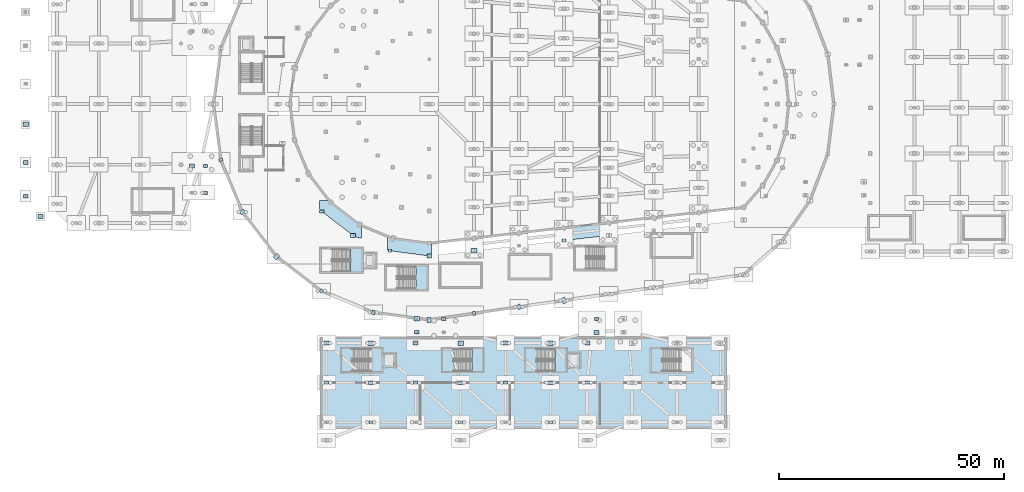
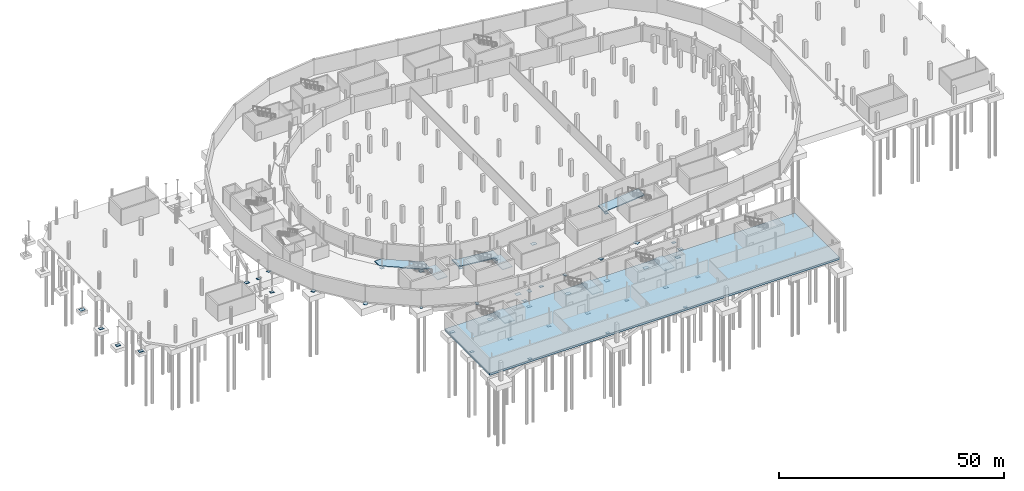
# One storey, part 34 of 55: 44 plates, 9 slabs, 5 elements without a shape of their own.
"""IFC4 building model written with IfcOpenShell, lengths in metres."""

from ifc_helpers import new_model, si_unit, direction, frame, origin, origin_2d, place, context, subcontext, project, spatial, polyline, rectangle, outline, extrude, material, layer, layer_set, type_object, element, aggregate, save


model = new_model("IFC4")

# Units and contexts
model_context = context("Model", 3, precision=1e-05, world=origin(), true_north=direction((0.0, 1.0)))
body_context = subcontext(model_context, "Body", "Model", "MODEL_VIEW")
ifc_project = project(units=[si_unit("LENGTHUNIT", "METRE"), si_unit("AREAUNIT", "SQUARE_METRE"), si_unit("VOLUMEUNIT", "CUBIC_METRE"), si_unit("PLANEANGLEUNIT", "RADIAN"), si_unit("MASSUNIT", "GRAM", prefix="KILO")], contexts=[model_context])

# Site, building, storey
site_placement = place(None, origin())
site = spatial("IfcSite", under=ifc_project, at=site_placement, CompositionType="ELEMENT")
building_placement = place(site_placement, origin())
building = spatial("IfcBuilding", under=site, at=building_placement, Name="Sohan Crest Arena", CompositionType="ELEMENT")
storey_placement = place(building_placement, frame((0.0, 0.0, -4.5)))
storey = spatial("IfcBuildingStorey", under=building, at=storey_placement, Name="B1", CompositionType="ELEMENT", Elevation=-4.5)

# Slabs
ifc_material_1 = material(Name="Concrete C40/50", Category="concrete")
ifc_layer_1 = layer(ifc_material_1, 0.550048828125, Name="Concrete C40/50")
ifc_layer_set_1 = layer_set([ifc_layer_1], Name="Concrete C40/50")
slab_type_1 = type_object("IfcSlabType", Name="SL-BASE2", PredefinedType="BASESLAB", material=ifc_layer_set_1)
slab_1_placement = place(storey_placement, frame((0.0, 0.0, -0.550048828125)))
element("IfcSlab", 1, at=slab_1_placement, inside=storey, type_object=slab_type_1, Name="BOH wing B1 foundation base slab SL-B1-V5", PredefinedType="BASESLAB", context=body_context, shape_type="SweptSolid", body=[
    extrude(outline(polyline([(74.0, 6.0), (164.0, 6.0), (164.0, 26.0), (74.0, 26.0), (74.0, 6.0)])), origin(), (0.0, 0.0, 1.0), 0.550048828125),
])
ifc_layer_2 = layer(ifc_material_1, 0.25, Name="Concrete C40/50")
ifc_layer_set_2 = layer_set([ifc_layer_2], Name="Concrete C40/50")
slab_type_2 = type_object("IfcSlabType", Name="SL-FLR3", PredefinedType="FLOOR", material=ifc_layer_set_2)
slab_2_placement = place(storey_placement, frame((0.0, 0.0, -0.25)))
element("IfcSlab", 2, at=slab_2_placement, inside=storey, type_object=slab_type_2, Name="Seismic joint threshold slab B1 SL-TH-B1-09", PredefinedType="FLOOR", context=body_context, shape_type="SweptSolid", body=[
    extrude(outline(polyline([(81.10009765625, 48.72802734375), (74.10009765625, 54.10009765625), (73.60009765625, 54.751953125), (73.60009765625, 56.580078125), (75.696044921875, 56.580078125), (76.080078125, 56.080078125), (82.5, 51.153076171875), (83.0, 50.946044921875), (83.0, 48.22802734375), (82.306884765625, 48.22802734375), (81.10009765625, 48.72802734375)])), origin(), (0.0, 0.0, 1.0), 0.25),
])
slab_3_placement = place(storey_placement, frame((0.0, 0.0, -0.25)))
element("IfcSlab", 3, at=slab_3_placement, inside=storey, type_object=slab_type_2, Name="Seismic joint threshold slab B1 SL-TH-B1-11", PredefinedType="FLOOR", context=body_context, shape_type="SweptSolid", body=[
    extrude(outline(polyline([(98.0, 44.199951171875), (89.251953125, 45.35205078125), (88.751953125, 45.55908203125), (88.751953125, 48.555908203125), (88.77001953125, 48.555908203125), (89.97705078125, 48.055908203125), (98.0, 47.0), (98.5, 47.056884765625), (98.5, 44.257080078125), (98.0, 44.199951171875)])), origin(), (0.0, 0.0, 1.0), 0.25),
])
slab_4_placement = place(storey_placement, frame((0.0, 0.0, -0.25)))
element("IfcSlab", 4, at=slab_4_placement, inside=storey, type_object=slab_type_2, Name="Seismic joint threshold slab B1 SL-TH-B1-15", PredefinedType="FLOOR", context=body_context, shape_type="SweptSolid", body=[
    extrude(outline(polyline([(138.5, 48.827880859375), (127.5, 47.572021484375), (127.5, 50.3720703125), (138.5, 51.6279296875), (138.5, 48.827880859375)])), origin(), (0.0, 0.0, 1.0), 0.25),
])

# Stair, slab
stair_type_1 = type_object("IfcStairType", Name="ST-450", PredefinedType="TWO_STRAIGHT_RUN_STAIR", material=ifc_material_1)
stair_1_placement = place(storey_placement, origin())
stair_1 = element("IfcStair", 5, at=stair_1_placement, inside=storey, type_object=stair_type_1, Name="Protected exit stair ST03-B1", PredefinedType="TWO_STRAIGHT_RUN_STAIR")
ifc_layer_3 = layer(ifc_material_1, 0.199951171875, Name="Concrete C40/50")
ifc_layer_set_3 = layer_set([ifc_layer_3], Name="Concrete C40/50")
slab_type_3 = type_object("IfcSlabType", Name="SL-LND1", PredefinedType="LANDING", material=ifc_layer_set_3)
slab_5_placement = place(storey_placement, frame((0.0, 0.0, 2.050048828125)))
slab_5 = element("IfcSlab", 6, at=slab_5_placement, type_object=slab_type_3, Name="ST03-B1 landing 1", PredefinedType="LANDING", context=body_context, shape_type="SweptSolid", body=[
    extrude(outline(polyline([(80.530029296875, 40.550048828125), (83.10009765625, 40.550048828125), (83.10009765625, 45.85009765625), (80.530029296875, 45.85009765625), (80.530029296875, 40.550048828125)])), origin(), (0.0, 0.0, 1.0), 0.199951171875),
])
aggregate(stair_1, [slab_5])

stair_type_2 = type_object("IfcStairType", Name="ST-450W", PredefinedType="TWO_STRAIGHT_RUN_STAIR", material=ifc_material_1)
stair_2_placement = place(storey_placement, origin())
stair_2 = element("IfcStair", 7, at=stair_2_placement, inside=storey, type_object=stair_type_2, Name="Protected exit stair ST12-B1", PredefinedType="TWO_STRAIGHT_RUN_STAIR")
slab_6_placement = place(storey_placement, frame((0.0, 0.0, 2.050048828125)))
slab_6 = element("IfcSlab", 8, at=slab_6_placement, type_object=slab_type_3, Name="ST12-B1 landing 1", PredefinedType="LANDING", context=body_context, shape_type="SweptSolid", body=[
    extrude(outline(polyline([(107.530029296875, 18.35009765625), (110.10009765625, 18.35009765625), (110.10009765625, 23.64990234375), (107.530029296875, 23.64990234375), (107.530029296875, 18.35009765625)])), origin(), (0.0, 0.0, 1.0), 0.199951171875),
])
aggregate(stair_2, [slab_6])

stair_3_placement = place(storey_placement, origin())
stair_3 = element("IfcStair", 9, at=stair_3_placement, inside=storey, type_object=stair_type_2, Name="Protected exit stair ST17-B1", PredefinedType="TWO_STRAIGHT_RUN_STAIR")
slab_7_placement = place(storey_placement, frame((0.0, 0.0, 2.050048828125)))
slab_7 = element("IfcSlab", 10, at=slab_7_placement, type_object=slab_type_3, Name="ST17-B1 landing 1", PredefinedType="LANDING", context=body_context, shape_type="SweptSolid", body=[
    extrude(outline(polyline([(85.030029296875, 18.35009765625), (87.60009765625, 18.35009765625), (87.60009765625, 23.64990234375), (85.030029296875, 23.64990234375), (85.030029296875, 18.35009765625)])), origin(), (0.0, 0.0, 1.0), 0.199951171875),
])
aggregate(stair_3, [slab_7])

stair_4_placement = place(storey_placement, origin())
stair_4 = element("IfcStair", 11, at=stair_4_placement, inside=storey, type_object=stair_type_2, Name="Protected exit stair ST18-B1", PredefinedType="TWO_STRAIGHT_RUN_STAIR")
slab_8_placement = place(storey_placement, frame((0.0, 0.0, 2.050048828125)))
slab_8 = element("IfcSlab", 12, at=slab_8_placement, type_object=slab_type_3, Name="ST18-B1 landing 1", PredefinedType="LANDING", context=body_context, shape_type="SweptSolid", body=[
    extrude(outline(polyline([(126.030029296875, 18.35009765625), (128.60009765625, 18.35009765625), (128.60009765625, 23.64990234375), (126.030029296875, 23.64990234375), (126.030029296875, 18.35009765625)])), origin(), (0.0, 0.0, 1.0), 0.199951171875),
])
aggregate(stair_4, [slab_8])

stair_5_placement = place(storey_placement, origin())
stair_5 = element("IfcStair", 13, at=stair_5_placement, inside=storey, type_object=stair_type_2, Name="Protected exit stair ST19-B1", PredefinedType="TWO_STRAIGHT_RUN_STAIR")
slab_9_placement = place(storey_placement, frame((0.0, 0.0, 2.050048828125)))
slab_9 = element("IfcSlab", 14, at=slab_9_placement, type_object=slab_type_3, Name="ST19-B1 landing 1", PredefinedType="LANDING", context=body_context, shape_type="SweptSolid", body=[
    extrude(outline(polyline([(95.030029296875, 36.7099609375), (97.60009765625, 36.7099609375), (97.60009765625, 42.010009765625), (95.030029296875, 42.010009765625), (95.030029296875, 36.7099609375)])), origin(), (0.0, 0.0, 1.0), 0.199951171875),
])
aggregate(stair_5, [slab_9])

# Plates
ifc_material_2 = material(Name="Steel S355", Category="steel")
ifc_layer_4 = layer(ifc_material_2, 0.031982421875, Name="Steel S355")
ifc_layer_set_4 = layer_set([ifc_layer_4], Name="Steel S355")
plate_type_1 = type_object("IfcPlateType", Name="STR-PL-BP01", PredefinedType="USERDEFINED", material=ifc_layer_set_4)
for number, where, z_axis, x_axis, name in (
    (15, (89.251953125, 45.35205078125, -0.5498046875), (0.0, 0.0, 1.0), (1.0, 0.0, 0.0), "Steel column base plate BP-V2I-12"),
    (16, (51.635986328125, 65.576904296875, -0.5498046875), (0.0, 0.0, 1.0), (0.965925826289, 0.258819045103, 0.0), "Steel column base plate BP-V2O-08"),
    (17, (108.0, 31.428955078125, -0.5498046875), (0.0, 0.0, 1.0), (-0.209618562904, 0.977783236759, 0.0), "Steel column base plate BP-V2O-14"),
    (18, (85.0, 7.199951171875, -0.5498046875), (0.0, 0.0, 1.0), (1.0, 0.0, 0.0), "Steel column base plate BP-V5C-02-1"),
    (19, (105.0, 7.199951171875, -0.5498046875), (0.0, 0.0, 1.0), (1.0, 0.0, 0.0), "Steel column base plate BP-V5C-04-1"),
    (20, (125.0, 7.199951171875, -0.5498046875), (0.0, 0.0, 1.0), (1.0, 0.0, 0.0), "Steel column base plate BP-V5C-06-1"),
    (21, (48.199951171875, 64.25, -0.5498046875), (0.0, 0.0, 1.0), (1.0, 0.0, 0.0), "Steel column base plate BP-BC-BR-W1-4"),
    (22, (135.25, 30.199951171875, -0.5498046875), (0.0, 0.0, 1.0), (1.0, 0.0, 0.0), "Steel column base plate BP-BC-BR-S2-2"),
):
    element("IfcPlate", number, at=place(storey_placement, frame(where, z_axis=z_axis, x_axis=x_axis)), inside=storey, type_object=plate_type_1, Name=name, ObjectType="BASE PLATE", PredefinedType="USERDEFINED", context=body_context, shape_type="SweptSolid", body=[
        extrude(rectangle(XDim=0.85009765625, YDim=0.64990234375, at=origin_2d()), origin(), (0.0, 0.0, 1.0), 0.031982421875),
    ])
ifc_layer_5 = layer(ifc_material_2, 0.034912109375, Name="Steel S355")
ifc_layer_set_5 = layer_set([ifc_layer_5], Name="Steel S355")
plate_type_2 = type_object("IfcPlateType", Name="STR-PL-BP02", PredefinedType="USERDEFINED", material=ifc_layer_set_5)
for number, where, z_axis, x_axis, name in (
    (23, (8.199951171875, 65.0, -0.54931640625), (0.0, 0.0, 1.0), (1.0, 0.0, 0.0), "Canopy column base plate BP-P01"),
    (24, (8.199951171875, 57.5, -0.54931640625), (0.0, 0.0, 1.0), (1.0, 0.0, 0.0), "Canopy column base plate BP-P07"),
    (25, (98.0, 44.199951171875, -0.54931640625), (0.0, 0.0, 1.0), (1.0, 0.0, 0.0), "Steel column base plate BP-V2I-13"),
    (26, (56.430908203125, 54.0, -0.54931640625), (0.0, 0.0, 1.0), (0.866025403784, 0.5, 0.0), "Steel column base plate BP-V2O-09"),
    (27, (118.0, 32.85693359375, -0.54931640625), (0.0, 0.0, 1.0), (-0.40514158678, 0.914253955234, 0.0), "Steel column base plate BP-V2O-15"),
    (28, (85.0, 16.0, -0.54931640625), (0.0, 0.0, 1.0), (1.0, 0.0, 0.0), "Steel column base plate BP-V5C-02-2"),
    (29, (105.0, 16.0, -0.54931640625), (0.0, 0.0, 1.0), (1.0, 0.0, 0.0), "Steel column base plate BP-V5C-04-2"),
    (30, (125.0, 16.0, -0.54931640625), (0.0, 0.0, 1.0), (1.0, 0.0, 0.0), "Steel column base plate BP-V5C-06-2"),
    (31, (95.25, 27.199951171875, -0.54931640625), (0.0, 0.0, 1.0), (1.0, 0.0, 0.0), "Steel column base plate BP-BC-BR-S1-1"),
):
    element("IfcPlate", number, at=place(storey_placement, frame(where, z_axis=z_axis, x_axis=x_axis)), inside=storey, type_object=plate_type_2, Name=name, ObjectType="BASE PLATE", PredefinedType="USERDEFINED", context=body_context, shape_type="SweptSolid", body=[
        extrude(rectangle(XDim=1.050048828125, YDim=0.800048828125, at=origin_2d()), origin(), (0.0, 0.0, 1.0), 0.034912109375),
    ])
ifc_layer_6 = layer(ifc_material_2, 0.034912109375, Name="Steel S355")
ifc_layer_set_6 = layer_set([ifc_layer_6], Name="Steel S355")
plate_type_3 = type_object("IfcPlateType", Name="STR-PL-BP03", PredefinedType="USERDEFINED", material=ifc_layer_set_6)
for number, where, z_axis, x_axis, name in (
    (32, (8.199951171875, 73.5, -0.54931640625), (0.0, 0.0, 1.0), (1.0, 0.0, 0.0), "Canopy column base plate BP-P02"),
    (33, (108.0, 45.343017578125, -0.54931640625), (0.0, 0.0, 1.0), (1.0, 0.0, 0.0), "Steel column base plate BP-V2I-14"),
    (34, (64.05908203125, 44.05908203125, -0.54931640625), (0.0, 0.0, 1.0), (0.707106781187, 0.707106781187, 0.0), "Steel column base plate BP-V2O-10"),
    (35, (128.0, 34.285888671875, -0.54931640625), (0.0, 0.0, 1.0), (-0.566406236925, 0.824126188622, 0.0), "Steel column base plate BP-V2O-16"),
    (36, (85.0, 24.800048828125, -0.54931640625), (0.0, 0.0, 1.0), (1.0, 0.0, 0.0), "Steel column base plate BP-V5C-02-3"),
    (37, (105.0, 24.800048828125, -0.54931640625), (0.0, 0.0, 1.0), (1.0, 0.0, 0.0), "Steel column base plate BP-V5C-04-3"),
    (38, (125.0, 24.800048828125, -0.54931640625), (0.0, 0.0, 1.0), (1.0, 0.0, 0.0), "Steel column base plate BP-V5C-06-3"),
    (39, (95.25, 30.199951171875, -0.54931640625), (0.0, 0.0, 1.0), (1.0, 0.0, 0.0), "Steel column base plate BP-BC-BR-S1-2"),
):
    element("IfcPlate", number, at=place(storey_placement, frame(where, z_axis=z_axis, x_axis=x_axis)), inside=storey, type_object=plate_type_3, Name=name, ObjectType="BASE PLATE", PredefinedType="USERDEFINED", context=body_context, shape_type="SweptSolid", body=[
        extrude(rectangle(XDim=1.25, YDim=0.949951171875, at=origin_2d()), origin(), (0.0, 0.0, 1.0), 0.034912109375),
    ])
ifc_layer_7 = layer(ifc_material_2, 0.030029296875, Name="Steel S355")
ifc_layer_set_7 = layer_set([ifc_layer_7], Name="Steel S355")
plate_type_4 = type_object("IfcPlateType", Name="STR-PL-BP04", PredefinedType="USERDEFINED", material=ifc_layer_set_7)
plate_placement = place(storey_placement, frame((74.0, 36.430908203125, -0.5498046875), z_axis=(0.0, 0.0, 1.0), x_axis=(0.5, 0.866025403784, 0.0)))
element("IfcPlate", 40, at=plate_placement, inside=storey, type_object=plate_type_4, Name="Steel column base plate BP-V2O-11", ObjectType="BASE PLATE", PredefinedType="USERDEFINED", context=body_context, shape_type="SweptSolid", body=[
    extrude(rectangle(XDim=0.760009765625, YDim=0.580078125, at=origin_2d()), origin(), (0.0, 0.0, 1.0), 0.030029296875),
])
ifc_layer_8 = layer(ifc_material_2, 0.032958984375, Name="Steel S355")
ifc_layer_set_8 = layer_set([ifc_layer_8], Name="Steel S355")
plate_type_5 = type_object("IfcPlateType", Name="STR-PL-BP05", PredefinedType="USERDEFINED", material=ifc_layer_set_8)
for number, where, z_axis, x_axis, name in (
    (41, (74.10009765625, 54.10009765625, -0.55029296875), (0.0, 0.0, 1.0), (1.0, 0.0, 0.0), "Steel column base plate BP-V2I-10"),
    (42, (128.0, 47.62890625, -0.55029296875), (0.0, 0.0, 1.0), (1.0, 0.0, 0.0), "Steel column base plate BP-V2I-16"),
    (43, (85.576904296875, 31.635986328125, -0.55029296875), (0.0, 0.0, 1.0), (0.258819045103, 0.965925826289, 0.0), "Steel column base plate BP-V2O-12"),
    (44, (75.199951171875, 16.0, -0.55029296875), (0.0, 0.0, 1.0), (1.0, 0.0, 0.0), "Steel column base plate BP-V5C-01-2"),
    (45, (95.0, 16.0, -0.55029296875), (0.0, 0.0, 1.0), (1.0, 0.0, 0.0), "Steel column base plate BP-V5C-03-2"),
    (46, (115.0, 16.0, -0.55029296875), (0.0, 0.0, 1.0), (1.0, 0.0, 0.0), "Steel column base plate BP-V5C-05-2"),
    (47, (133.199951171875, 16.0, -0.55029296875), (0.0, 0.0, 1.0), (1.0, 0.0, 0.0), "Steel column base plate BP-V5C-07-2"),
    (48, (48.199951171875, 58.25, -0.55029296875), (0.0, 0.0, 1.0), (1.0, 0.0, 0.0), "Steel column base plate BP-BC-BR-W1-2"),
    (49, (101.25, 30.199951171875, -0.55029296875), (0.0, 0.0, 1.0), (1.0, 0.0, 0.0), "Steel column base plate BP-BC-BR-S1-4"),
):
    element("IfcPlate", number, at=place(storey_placement, frame(where, z_axis=z_axis, x_axis=x_axis)), inside=storey, type_object=plate_type_5, Name=name, ObjectType="BASE PLATE", PredefinedType="USERDEFINED", context=body_context, shape_type="SweptSolid", body=[
        extrude(rectangle(XDim=0.919921875, YDim=0.699951171875, at=origin_2d()), origin(), (0.0, 0.0, 1.0), 0.032958984375),
    ])
ifc_layer_9 = layer(ifc_material_2, 0.035888671875, Name="Steel S355")
ifc_layer_set_9 = layer_set([ifc_layer_9], Name="Steel S355")
plate_type_6 = type_object("IfcPlateType", Name="STR-PL-BP06", PredefinedType="USERDEFINED", material=ifc_layer_set_9)
for number, where, z_axis, x_axis, name in (
    (50, (11.5, 53.0, -0.5498046875), (0.0, 0.0, 1.0), (1.0, 0.0, 0.0), "Canopy column base plate BP-P05"),
    (51, (81.10009765625, 48.72802734375, -0.5498046875), (0.0, 0.0, 1.0), (1.0, 0.0, 0.0), "Steel column base plate BP-V2I-11"),
    (52, (98.0, 30.0, -0.5498046875), (0.0, 0.0, 1.0), (0.0, 1.0, 0.0), "Steel column base plate BP-V2O-13"),
    (53, (75.199951171875, 24.800048828125, -0.5498046875), (0.0, 0.0, 1.0), (1.0, 0.0, 0.0), "Steel column base plate BP-V5C-01-3"),
    (54, (95.0, 24.800048828125, -0.5498046875), (0.0, 0.0, 1.0), (1.0, 0.0, 0.0), "Steel column base plate BP-V5C-03-3"),
    (55, (115.0, 24.800048828125, -0.5498046875), (0.0, 0.0, 1.0), (1.0, 0.0, 0.0), "Steel column base plate BP-V5C-05-3"),
    (56, (133.199951171875, 24.800048828125, -0.5498046875), (0.0, 0.0, 1.0), (1.0, 0.0, 0.0), "Steel column base plate BP-V5C-07-3"),
    (57, (45.199951171875, 64.25, -0.5498046875), (0.0, 0.0, 1.0), (1.0, 0.0, 0.0), "Steel column base plate BP-BC-BR-W1-3"),
    (58, (135.25, 27.199951171875, -0.5498046875), (0.0, 0.0, 1.0), (1.0, 0.0, 0.0), "Steel column base plate BP-BC-BR-S2-1"),
):
    element("IfcPlate", number, at=place(storey_placement, frame(where, z_axis=z_axis, x_axis=x_axis)), inside=storey, type_object=plate_type_6, Name=name, ObjectType="BASE PLATE", PredefinedType="USERDEFINED", context=body_context, shape_type="SweptSolid", body=[
        extrude(rectangle(XDim=1.1201171875, YDim=0.860107421875, at=origin_2d()), origin(), (0.0, 0.0, 1.0), 0.035888671875),
    ])

save(model, "model.ifc")
